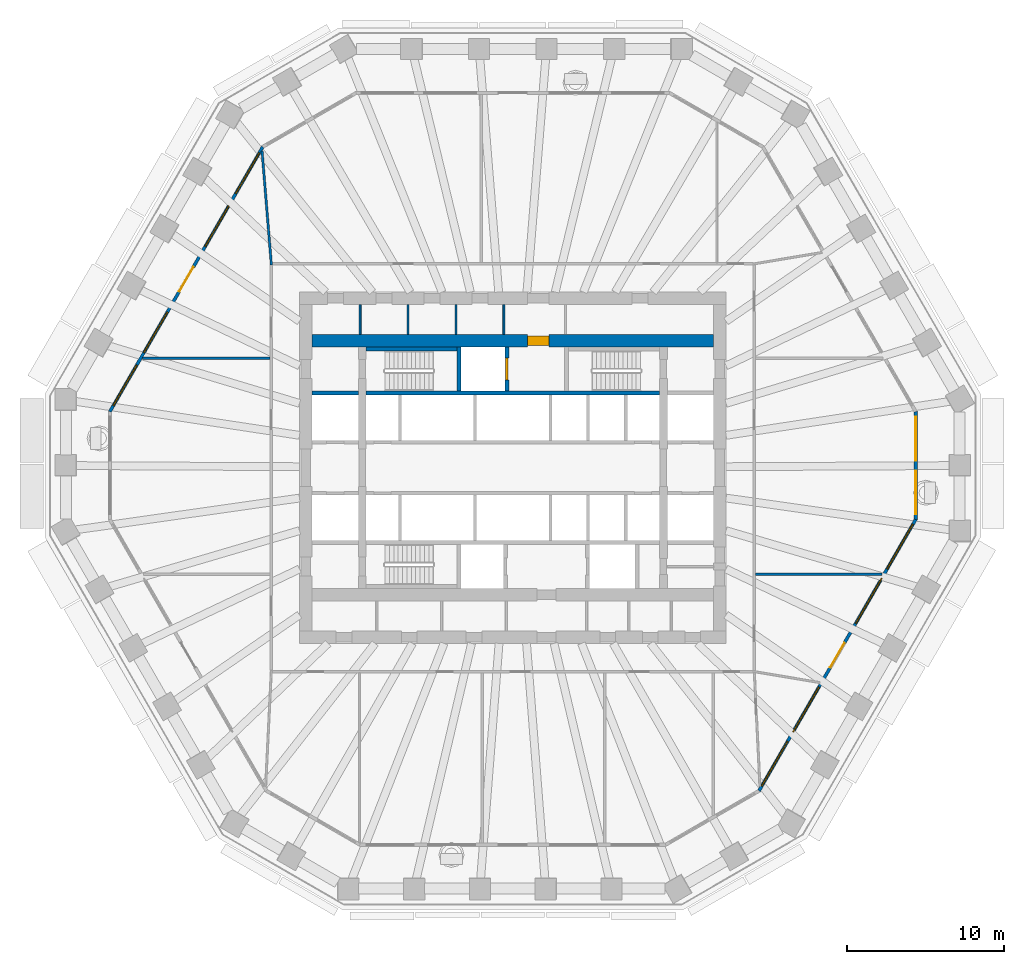
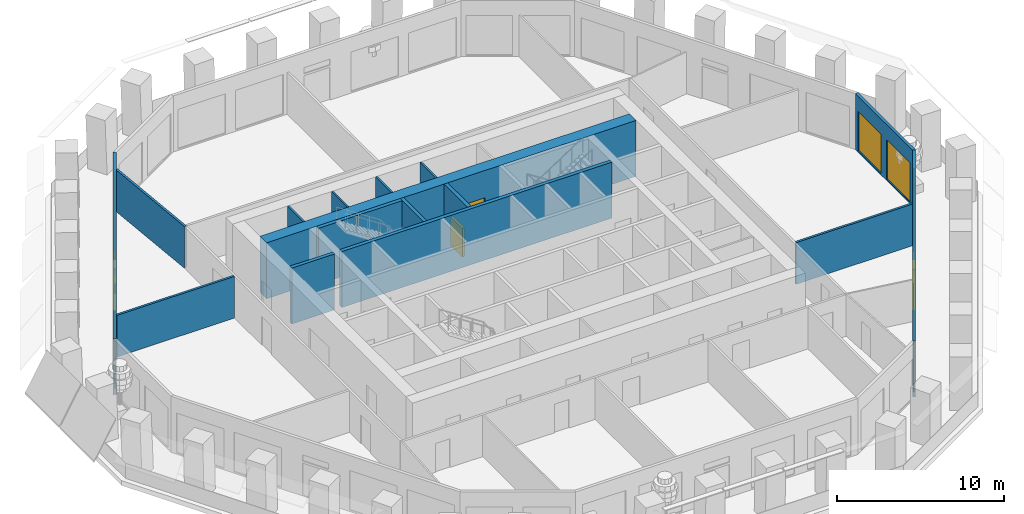
# One storey, part 6 of 12: 16 walls, 12 windows, 4 doors, 16 openings.
"""IFC4 building model written with IfcOpenShell, lengths in metres."""

from ifc_helpers import new_model, si_unit, direction, frame, frame_2d, origin, place, context, subcontext, project, spatial, polyline, rectangle, outline, extrude, material, layer, layer_set, type_object, element, fill, save


model = new_model("IFC4")

# Units and contexts
model_context = context("Model", 3, precision=1e-05, world=origin(), true_north=direction((0.0, 1.0)))
body_context = subcontext(model_context, "Body", "Model", "MODEL_VIEW")
ifc_project = project(units=[si_unit("LENGTHUNIT", "METRE"), si_unit("AREAUNIT", "SQUARE_METRE"), si_unit("VOLUMEUNIT", "CUBIC_METRE"), si_unit("PLANEANGLEUNIT", "RADIAN"), si_unit("MASSUNIT", "GRAM", prefix="KILO")], contexts=[model_context])

# Site, building, storey
site_placement = place(None, origin())
site = spatial("IfcSite", under=ifc_project, at=site_placement, CompositionType="ELEMENT")
building_placement = place(site_placement, origin())
building = spatial("IfcBuilding", under=site, at=building_placement, Name="Frailejon Research Tower", CompositionType="ELEMENT")
storey_placement = place(building_placement, frame((0.0, 0.0, 85.199951171875)))
storey = spatial("IfcBuildingStorey", under=building, at=storey_placement, Name="L18", CompositionType="ELEMENT", Elevation=85.199951171875)

# Walls
ifc_material_1 = material(Name="Plasterboard on steel studs", Category="steel")
ifc_layer_1 = layer(ifc_material_1, 0.125)
ifc_layer_set_1 = layer_set([ifc_layer_1], Name="Core partition 125")
wall_type_1 = type_object("IfcWallType", Name="Core partition 125", PredefinedType="PARTITIONING", material=ifc_layer_set_1)
for number, where, z_axis, x_axis, name in (
    (1, (-9.740478515625, 8.5, 0.0), (0.0, 0.0, 1.0), (0.0, 1.0, 0.0), "Core partition"),
    (2, (-6.68115234375, 8.5, 0.0), (0.0, 0.0, 1.0), (0.0, 1.0, 0.0), "Core partition"),
    (3, (-3.621826171875, 8.5, 0.0), (0.0, 0.0, 1.0), (0.0, 1.0, 0.0), "Core partition"),
    (4, (-0.5625, 8.5, 0.0), (0.0, 0.0, 1.0), (0.0, 1.0, 0.0), "Core partition"),
):
    element("IfcWall", number, at=place(storey_placement, frame(where, z_axis=z_axis, x_axis=x_axis)), inside=storey, type_object=wall_type_1, Name=name, PredefinedType="PARTITIONING", context=body_context, shape_type="SweptSolid", body=[
        extrude(rectangle(XDim=1.89990234375, YDim=0.125, at=frame_2d((0.949951171875, 0.0))), origin(), (0.0, 0.0, 1.0), 4.10009765625),
    ])

# Wall, opening, door
ifc_material_2 = material(Name="Concrete C70/85", Category="concrete")
ifc_layer_2 = layer(ifc_material_2, 0.800048828125)
ifc_layer_set_2 = layer_set([ifc_layer_2], Name="Core shear wall 800 C70/85")
wall_type_2 = type_object("IfcWallType", Name="Core shear wall 800 C70/85", PredefinedType="SHEAR", material=ifc_layer_set_2)
wall_1_placement = place(storey_placement, frame((-12.800048828125, 8.10009765625, 0.0), z_axis=(0.0, 0.0, 1.0), x_axis=(1.0, 0.0, 0.0)))
wall_1 = element("IfcWall", 5, at=wall_1_placement, inside=storey, type_object=wall_type_2, Name="Core shear wall", PredefinedType="SHEAR", context=body_context, shape_type="SweptSolid", body=[
    extrude(rectangle(XDim=25.60009765625, YDim=0.800048828125, at=frame_2d((12.800048828125, 0.0))), origin(), (0.0, 0.0, 1.0), 4.10009765625),
])
opening_1_placement = place(wall_1_placement, frame((13.72509765625, 0.0, 0.0)))
opening_1 = element("IfcOpeningElement", 6, at=opening_1_placement, cuts=wall_1, Name="Opening D9", PredefinedType="OPENING", context=body_context, shape_type="SweptSolid", body=[
    extrude(rectangle(XDim=1.39990234375, YDim=2.10009765625, at=frame_2d((0.699951171875, 1.050048828125))), frame((0.0, 0.409912109375, 0.0), z_axis=(0.0, -1.0, 0.0), x_axis=(1.0, 0.0, 0.0)), (0.0, 0.0, 1.0), 0.820068359375),
])
ifc_material_3 = material(Name="Steel", Category="steel")
door_type_1 = type_object("IfcDoorType", Name="Goods lobby door", OperationType="DOUBLE_DOOR_SINGLE_SWING", PredefinedType="DOOR", material=ifc_material_3)
door_1_placement = place(opening_1_placement, origin())
door_1 = element("IfcDoor", 7, at=door_1_placement, inside=storey, type_object=door_type_1, Name="Goods lobby door", OperationType="DOUBLE_DOOR_SINGLE_SWING", OverallHeight=2.10009765625, OverallWidth=1.39990234375, PredefinedType="DOOR", context=body_context, shape_type="SweptSolid", body=[
    extrude(rectangle(XDim=1.39990234375, YDim=2.10009765625, at=frame_2d((0.699951171875, 1.050048828125))), frame((0.0, 0.300048828125, 0.0), z_axis=(0.0, -1.0, 0.0), x_axis=(1.0, 0.0, 0.0)), (0.0, 0.0, 1.0), 0.60009765625),
])
fill(opening_1, door_1)

# Walls
ifc_material_4 = material(Name="Gypsum board and masonry partition", Category="masonry")
ifc_layer_3 = layer(ifc_material_4, 0.14990234375)
ifc_layer_set_3 = layer_set([ifc_layer_3], Name="Laboratory partition, blockwork 150")
wall_type_3 = type_object("IfcWallType", Name="Laboratory partition, blockwork 150", PredefinedType="PARTITIONING", material=ifc_layer_set_3)
wall_2_placement = place(storey_placement, frame((-23.6064453125, 6.989013671875, 0.0), z_axis=(0.0, 0.0, 1.0), x_axis=(1.0, 0.0, 0.0)))
element("IfcWall", 8, at=wall_2_placement, inside=storey, type_object=wall_type_3, Name="T:IW:L18:005", PredefinedType="PARTITIONING", context=body_context, shape_type="SweptSolid", body=[
    extrude(rectangle(XDim=8.13134765625, YDim=0.14990234375, at=frame_2d((4.065673828125, 0.0))), origin(), (0.0, 0.0, 1.0), 3.050048828125),
])
wall_3_placement = place(storey_placement, frame((15.47509765625, -6.79541015625, 0.0), z_axis=(0.0, 0.0, 1.0), x_axis=(1.0, 0.0, 0.0)))
element("IfcWall", 9, at=wall_3_placement, inside=storey, type_object=wall_type_3, Name="T:IW:L18:008", PredefinedType="PARTITIONING", context=body_context, shape_type="SweptSolid", body=[
    extrude(rectangle(XDim=8.08349609375, YDim=0.14990234375, at=frame_2d((4.041748046875, 0.0))), origin(), (0.0, 0.0, 1.0), 3.050048828125),
])
wall_4_placement = place(storey_placement, frame((-15.9873046875, 20.185546875, 0.0), z_axis=(0.0, 0.0, 1.0), x_axis=(0.081475478093, -0.996675346575, 0.0)))
element("IfcWall", 10, at=wall_4_placement, inside=storey, type_object=wall_type_3, Name="T:IW:L18:010", PredefinedType="PARTITIONING", context=body_context, shape_type="SweptSolid", body=[
    extrude(rectangle(XDim=7.284423828125, YDim=0.14990234375, at=frame_2d((3.64208984375, 0.0))), origin(), (0.0, 0.0, 1.0), 3.050048828125),
])
ifc_material_5 = material(Name="Concrete C70/85", Category="concrete")
ifc_layer_4 = layer(ifc_material_5, 0.25)
ifc_layer_set_4 = layer_set([ifc_layer_4], Name="Shaft wall 250 C70/85")
wall_type_4 = type_object("IfcWallType", Name="Shaft wall 250 C70/85", PredefinedType="SOLIDWALL", material=ifc_layer_set_4)
wall_5_placement = place(storey_placement, frame((-12.800048828125, 4.77490234375, 0.0), z_axis=(0.0, 0.0, 1.0), x_axis=(1.0, 0.0, 0.0)))
element("IfcWall", 11, at=wall_5_placement, inside=storey, type_object=wall_type_4, Name="Shaft wall", PredefinedType="SOLIDWALL", context=body_context, shape_type="SweptSolid", body=[
    extrude(rectangle(XDim=2.949951171875, YDim=0.25, at=frame_2d((1.47509765625, 0.0))), origin(), (0.0, 0.0, 1.0), 4.10009765625),
])
wall_6_placement = place(storey_placement, frame((-9.35009765625, 4.77490234375, 0.0), z_axis=(0.0, 0.0, 1.0), x_axis=(1.0, 0.0, 0.0)))
element("IfcWall", 12, at=wall_6_placement, inside=storey, type_object=wall_type_4, Name="Shaft wall", PredefinedType="SOLIDWALL", context=body_context, shape_type="SweptSolid", body=[
    extrude(rectangle(XDim=18.7001953125, YDim=0.25, at=frame_2d((9.35009765625, 0.0))), origin(), (0.0, 0.0, 1.0), 4.10009765625),
])
wall_7_placement = place(storey_placement, frame((-9.35009765625, 7.574951171875, 0.0), z_axis=(0.0, 0.0, 1.0), x_axis=(1.0, 0.0, 0.0)))
element("IfcWall", 13, at=wall_7_placement, inside=storey, type_object=wall_type_4, Name="Shaft wall", PredefinedType="SOLIDWALL", context=body_context, shape_type="SweptSolid", body=[
    extrude(rectangle(XDim=5.800048828125, YDim=0.25, at=frame_2d((2.89990234375, 0.0))), origin(), (0.0, 0.0, 1.0), 4.10009765625),
])
wall_8_placement = place(storey_placement, frame((-3.425048828125, 4.89990234375, 0.0), z_axis=(0.0, 0.0, 1.0), x_axis=(0.0, 1.0, 0.0)))
element("IfcWall", 14, at=wall_8_placement, inside=storey, type_object=wall_type_4, Name="Shaft wall", PredefinedType="SOLIDWALL", context=body_context, shape_type="SweptSolid", body=[
    extrude(rectangle(XDim=2.800048828125, YDim=0.25, at=frame_2d((1.39990234375, 0.0))), origin(), (0.0, 0.0, 1.0), 4.10009765625),
])

# Wall, opening, door
wall_9_placement = place(storey_placement, frame((-0.375, 4.89990234375, 0.0), z_axis=(0.0, 0.0, 1.0), x_axis=(0.0, 1.0, 0.0)))
wall_9 = element("IfcWall", 15, at=wall_9_placement, inside=storey, type_object=wall_type_4, Name="Shaft wall", PredefinedType="SOLIDWALL", context=body_context, shape_type="SweptSolid", body=[
    extrude(rectangle(XDim=2.800048828125, YDim=0.25, at=frame_2d((1.39990234375, 0.0))), origin(), (0.0, 0.0, 1.0), 4.10009765625),
])
opening_2_placement = place(wall_9_placement, frame((0.699951171875, 0.0, 0.0)))
opening_2 = element("IfcOpeningElement", 16, at=opening_2_placement, cuts=wall_9, Name="Opening LD2", PredefinedType="OPENING", context=body_context, shape_type="SweptSolid", body=[
    extrude(rectangle(XDim=1.39990234375, YDim=2.10009765625, at=frame_2d((0.699951171875, 1.050048828125))), frame((0.0, 0.135009765625, 0.0), z_axis=(0.0, -1.0, 0.0), x_axis=(1.0, 0.0, 0.0)), (0.0, 0.0, 1.0), 0.27001953125),
])
ifc_material_6 = material(Name="Stainless steel", Category="steel")
door_type_2 = type_object("IfcDoorType", Name="Goods landing door", OperationType="DOUBLE_DOOR_SLIDING", PredefinedType="DOOR", material=ifc_material_6)
door_2_placement = place(opening_2_placement, origin())
door_2 = element("IfcDoor", 17, at=door_2_placement, inside=storey, type_object=door_type_2, Name="Lift landing door", OperationType="DOUBLE_DOOR_SLIDING", OverallHeight=2.10009765625, OverallWidth=1.39990234375, PredefinedType="DOOR", context=body_context, shape_type="SweptSolid", body=[
    extrude(rectangle(XDim=1.39990234375, YDim=2.10009765625, at=frame_2d((0.699951171875, 1.050048828125))), frame((0.0, 0.074951171875, 0.0), z_axis=(0.0, -1.0, 0.0), x_axis=(1.0, 0.0, 0.0)), (0.0, 0.0, 1.0), 0.14990234375),
])
fill(opening_2, door_2)

# Wall, openings, windows
ifc_material_7 = material(Name="Concrete C40/50 precast window wall panel", Category="concrete")
ifc_layer_5 = layer(ifc_material_7, 0.199951171875)
ifc_layer_set_5 = layer_set([ifc_layer_5], Name="Window wall 200")
wall_type_5 = type_object("IfcWallType", Name="Window wall 200", PredefinedType="SOLIDWALL", material=ifc_layer_set_5)
wall_10_placement = place(storey_placement, frame((25.692626953125, -3.299072265625, 0.0), z_axis=(0.0, 0.0, 1.0), x_axis=(0.0, 1.0, 0.0)))
wall_10 = element("IfcWall", 18, at=wall_10_placement, inside=storey, type_object=wall_type_5, Name="Exterior wall L18", PredefinedType="SOLIDWALL", context=body_context, shape_type="SweptSolid", body=[
    extrude(outline(polyline([(-0.02685546875, -0.10009765625), (1.1279296875, -0.10009765625), (2.28271484375, -0.10009765625), (3.4375, -0.10009765625), (4.592041015625, -0.10009765625), (5.746826171875, -0.10009765625), (6.901611328125, -0.10009765625), (6.847900390625, 0.10009765625), (5.7109375, 0.10009765625), (4.57421875, 0.10009765625), (3.4375, 0.10009765625), (2.300537109375, 0.10009765625), (1.16357421875, 0.10009765625), (0.02685546875, 0.10009765625), (-0.02685546875, -0.10009765625)])), origin(), (0.0, 0.0, 1.0), 4.10009765625),
])
opening_3_placement = place(wall_10_placement, frame((0.318603515625, 0.0, 0.10009765625)))
opening_3 = element("IfcOpeningElement", 19, at=opening_3_placement, cuts=wall_10, Name="Opening W3", PredefinedType="OPENING", context=body_context, shape_type="SweptSolid", body=[
    extrude(rectangle(XDim=2.800048828125, YDim=2.89990234375, at=frame_2d((1.39990234375, 1.449951171875))), frame((0.0, 0.10986328125, 0.0), z_axis=(0.0, -1.0, 0.0), x_axis=(1.0, 0.0, 0.0)), (0.0, 0.0, 1.0), 0.219970703125),
])
opening_4_placement = place(wall_10_placement, frame((3.756103515625, 0.0, 0.10009765625)))
opening_4 = element("IfcOpeningElement", 20, at=opening_4_placement, cuts=wall_10, Name="Opening W3", PredefinedType="OPENING", context=body_context, shape_type="SweptSolid", body=[
    extrude(rectangle(XDim=2.800048828125, YDim=2.89990234375, at=frame_2d((1.39990234375, 1.449951171875))), frame((0.0, 0.10986328125, 0.0), z_axis=(0.0, -1.0, 0.0), x_axis=(1.0, 0.0, 0.0)), (0.0, 0.0, 1.0), 0.219970703125),
])
ifc_material_8 = material(Name="Aluminium framed double glazing", Category="aluminium")
window_type_1 = type_object("IfcWindowType", Name="Window 2800x2900", PartitioningType="SINGLE_PANEL", PredefinedType="WINDOW", material=ifc_material_8)
window_1_placement = place(opening_3_placement, origin())
window_1 = element("IfcWindow", 21, at=window_1_placement, inside=storey, type_object=window_type_1, Name="Window L18", OverallHeight=2.89990234375, OverallWidth=2.800048828125, PartitioningType="SINGLE_PANEL", PredefinedType="WINDOW", context=body_context, shape_type="SweptSolid", body=[
    extrude(rectangle(XDim=2.800048828125, YDim=2.89990234375, at=frame_2d((1.39990234375, 1.449951171875))), frame((0.0, 0.030029296875, 0.0), z_axis=(0.0, -1.0, 0.0), x_axis=(1.0, 0.0, 0.0)), (0.0, 0.0, 1.0), 0.06005859375),
])
fill(opening_3, window_1)
window_2_placement = place(opening_4_placement, origin())
window_2 = element("IfcWindow", 22, at=window_2_placement, inside=storey, type_object=window_type_1, Name="Window L18", OverallHeight=2.89990234375, OverallWidth=2.800048828125, PartitioningType="SINGLE_PANEL", PredefinedType="WINDOW", context=body_context, shape_type="SweptSolid", body=[
    extrude(rectangle(XDim=2.800048828125, YDim=2.89990234375, at=frame_2d((1.39990234375, 1.449951171875))), frame((0.0, 0.030029296875, 0.0), z_axis=(0.0, -1.0, 0.0), x_axis=(1.0, 0.0, 0.0)), (0.0, 0.0, 1.0), 0.06005859375),
])
fill(opening_4, window_2)

# Wall, openings, door, windows
wall_11_placement = place(storey_placement, frame((-15.94287109375, 20.462646484375, 0.0), z_axis=(0.0, 0.0, 1.0), x_axis=(-0.500002434251, -0.866023998365, 0.0)))
wall_11 = element("IfcWall", 23, at=wall_11_placement, inside=storey, type_object=wall_type_5, Name="Exterior wall L18", PredefinedType="SOLIDWALL", context=body_context, shape_type="SweptSolid", body=[
    extrude(outline(polyline([(-0.02685546875, -0.10009765625), (1.002197265625, -0.10009765625), (2.031494140625, -0.10009765625), (3.060546875, -0.10009765625), (4.089599609375, -0.10009765625), (5.11865234375, -0.10009765625), (6.14794921875, -0.10009765625), (7.177001953125, -0.10009765625), (8.2060546875, -0.10009765625), (9.235107421875, -0.10009765625), (10.264404296875, -0.10009765625), (11.29345703125, -0.10009765625), (12.322509765625, -0.10009765625), (13.3515625, -0.10009765625), (14.380859375, -0.10009765625), (15.409912109375, -0.10009765625), (16.43896484375, -0.10009765625), (17.468017578125, -0.10009765625), (18.497314453125, -0.10009765625), (19.5263671875, -0.10009765625), (19.47265625, 0.10009765625), (18.44921875, 0.10009765625), (17.42578125, 0.10009765625), (16.40234375, 0.10009765625), (15.37890625, 0.10009765625), (14.355224609375, 0.10009765625), (13.331787109375, 0.10009765625), (12.308349609375, 0.10009765625), (11.284912109375, 0.10009765625), (10.261474609375, 0.10009765625), (9.238037109375, 0.10009765625), (8.214599609375, 0.10009765625), (7.191162109375, 0.10009765625), (6.167724609375, 0.10009765625), (5.144287109375, 0.10009765625), (4.12060546875, 0.10009765625), (3.09716796875, 0.10009765625), (2.07373046875, 0.10009765625), (1.05029296875, 0.10009765625), (0.02685546875, 0.10009765625), (-0.02685546875, -0.10009765625)])), origin(), (0.0, 0.0, 1.0), 4.10009765625),
])
opening_5_placement = place(wall_11_placement, frame((0.449951171875, 0.0, 0.10009765625)))
opening_5 = element("IfcOpeningElement", 24, at=opening_5_placement, cuts=wall_11, Name="Opening W4", PredefinedType="OPENING", context=body_context, shape_type="SweptSolid", body=[
    extrude(rectangle(XDim=3.0, YDim=2.89990234375, at=frame_2d((1.5, 1.449951171875))), frame((0.0, 0.10986328125, 0.0), z_axis=(0.0, -1.0, 0.0), x_axis=(1.0, 0.0, 0.0)), (0.0, 0.0, 1.0), 0.219970703125),
])
opening_6_placement = place(wall_11_placement, frame((4.349853515625, 0.0, 0.10009765625)))
opening_6 = element("IfcOpeningElement", 25, at=opening_6_placement, cuts=wall_11, Name="Opening W4", PredefinedType="OPENING", context=body_context, shape_type="SweptSolid", body=[
    extrude(rectangle(XDim=3.0, YDim=2.89990234375, at=frame_2d((1.5, 1.449951171875))), frame((0.0, 0.10986328125, 0.0), z_axis=(0.0, -1.0, 0.0), x_axis=(1.0, 0.0, 0.0)), (0.0, 0.0, 1.0), 0.219970703125),
])
opening_7_placement = place(wall_11_placement, frame((8.849853515625, 0.0, 0.0)))
opening_7 = element("IfcOpeningElement", 26, at=opening_7_placement, cuts=wall_11, Name="Opening LG18-3", PredefinedType="OPENING", context=body_context, shape_type="SweptSolid", body=[
    extrude(rectangle(XDim=1.800048828125, YDim=2.39990234375, at=frame_2d((0.89990234375, 1.199951171875))), frame((0.0, 0.10986328125, 0.0), z_axis=(0.0, -1.0, 0.0), x_axis=(1.0, 0.0, 0.0)), (0.0, 0.0, 1.0), 0.219970703125),
])
opening_8_placement = place(wall_11_placement, frame((8.849853515625, 0.0, 2.550048828125)))
opening_8 = element("IfcOpeningElement", 27, at=opening_8_placement, cuts=wall_11, Name="Opening W1", PredefinedType="OPENING", context=body_context, shape_type="SweptSolid", body=[
    extrude(rectangle(XDim=1.800048828125, YDim=0.449951171875, at=frame_2d((0.89990234375, 0.22509765625))), frame((0.0, 0.10986328125, 0.0), z_axis=(0.0, -1.0, 0.0), x_axis=(1.0, 0.0, 0.0)), (0.0, 0.0, 1.0), 0.219970703125),
])
opening_9_placement = place(wall_11_placement, frame((12.149658203125, 0.0, 0.10009765625)))
opening_9 = element("IfcOpeningElement", 28, at=opening_9_placement, cuts=wall_11, Name="Opening W4", PredefinedType="OPENING", context=body_context, shape_type="SweptSolid", body=[
    extrude(rectangle(XDim=3.0, YDim=2.89990234375, at=frame_2d((1.5, 1.449951171875))), frame((0.0, 0.10986328125, 0.0), z_axis=(0.0, -1.0, 0.0), x_axis=(1.0, 0.0, 0.0)), (0.0, 0.0, 1.0), 0.219970703125),
])
opening_10_placement = place(wall_11_placement, frame((16.049560546875, 0.0, 0.10009765625)))
opening_10 = element("IfcOpeningElement", 29, at=opening_10_placement, cuts=wall_11, Name="Opening W4", PredefinedType="OPENING", context=body_context, shape_type="SweptSolid", body=[
    extrude(rectangle(XDim=3.0, YDim=2.89990234375, at=frame_2d((1.5, 1.449951171875))), frame((0.0, 0.10986328125, 0.0), z_axis=(0.0, -1.0, 0.0), x_axis=(1.0, 0.0, 0.0)), (0.0, 0.0, 1.0), 0.219970703125),
])
ifc_material_9 = material(Name="Aluminium framed glazed door leaf", Category="aluminium")
door_type_3 = type_object("IfcDoorType", Name="Loggia door 1800x2400", OperationType="DOUBLE_DOOR_SINGLE_SWING", PredefinedType="DOOR", material=ifc_material_9)
door_3_placement = place(opening_7_placement, origin())
door_3 = element("IfcDoor", 30, at=door_3_placement, inside=storey, type_object=door_type_3, Name="Door LG18-3", OperationType="DOUBLE_DOOR_SINGLE_SWING", OverallHeight=2.39990234375, OverallWidth=1.800048828125, PredefinedType="DOOR", context=body_context, shape_type="SweptSolid", body=[
    extrude(rectangle(XDim=1.800048828125, YDim=2.39990234375, at=frame_2d((0.89990234375, 1.199951171875))), frame((0.0, 0.02490234375, 0.0), z_axis=(0.0, -1.0, 0.0), x_axis=(1.0, 0.0, 0.0)), (0.0, 0.0, 1.0), 0.050048828125),
])
fill(opening_7, door_3)
ifc_material_10 = material(Name="Aluminium framed double glazing", Category="aluminium")
window_type_2 = type_object("IfcWindowType", Name="Window 1800x450", PartitioningType="SINGLE_PANEL", PredefinedType="WINDOW", material=ifc_material_10)
window_3_placement = place(opening_8_placement, origin())
window_3 = element("IfcWindow", 31, at=window_3_placement, inside=storey, type_object=window_type_2, Name="Window L18", OverallHeight=0.449951171875, OverallWidth=1.800048828125, PartitioningType="SINGLE_PANEL", PredefinedType="WINDOW", context=body_context, shape_type="SweptSolid", body=[
    extrude(rectangle(XDim=1.800048828125, YDim=0.449951171875, at=frame_2d((0.89990234375, 0.22509765625))), frame((0.0, 0.030029296875, 0.0), z_axis=(0.0, -1.0, 0.0), x_axis=(1.0, 0.0, 0.0)), (0.0, 0.0, 1.0), 0.06005859375),
])
fill(opening_8, window_3)
ifc_material_11 = material(Name="Aluminium framed double glazing", Category="aluminium")
window_type_3 = type_object("IfcWindowType", Name="Window 3000x2900", PartitioningType="SINGLE_PANEL", PredefinedType="WINDOW", material=ifc_material_11)
window_4_placement = place(opening_5_placement, origin())
window_4 = element("IfcWindow", 32, at=window_4_placement, inside=storey, type_object=window_type_3, Name="Window L18", OverallHeight=2.89990234375, OverallWidth=3.0, PartitioningType="SINGLE_PANEL", PredefinedType="WINDOW", context=body_context, shape_type="SweptSolid", body=[
    extrude(rectangle(XDim=3.0, YDim=2.89990234375, at=frame_2d((1.5, 1.449951171875))), frame((0.0, 0.030029296875, 0.0), z_axis=(0.0, -1.0, 0.0), x_axis=(1.0, 0.0, 0.0)), (0.0, 0.0, 1.0), 0.06005859375),
])
fill(opening_5, window_4)
window_5_placement = place(opening_6_placement, origin())
window_5 = element("IfcWindow", 33, at=window_5_placement, inside=storey, type_object=window_type_3, Name="Window L18", OverallHeight=2.89990234375, OverallWidth=3.0, PartitioningType="SINGLE_PANEL", PredefinedType="WINDOW", context=body_context, shape_type="SweptSolid", body=[
    extrude(rectangle(XDim=3.0, YDim=2.89990234375, at=frame_2d((1.5, 1.449951171875))), frame((0.0, 0.030029296875, 0.0), z_axis=(0.0, -1.0, 0.0), x_axis=(1.0, 0.0, 0.0)), (0.0, 0.0, 1.0), 0.06005859375),
])
fill(opening_6, window_5)
window_6_placement = place(opening_9_placement, origin())
window_6 = element("IfcWindow", 34, at=window_6_placement, inside=storey, type_object=window_type_3, Name="Window L18", OverallHeight=2.89990234375, OverallWidth=3.0, PartitioningType="SINGLE_PANEL", PredefinedType="WINDOW", context=body_context, shape_type="SweptSolid", body=[
    extrude(rectangle(XDim=3.0, YDim=2.89990234375, at=frame_2d((1.5, 1.449951171875))), frame((0.0, 0.030029296875, 0.0), z_axis=(0.0, -1.0, 0.0), x_axis=(1.0, 0.0, 0.0)), (0.0, 0.0, 1.0), 0.06005859375),
])
fill(opening_9, window_6)
window_7_placement = place(opening_10_placement, origin())
window_7 = element("IfcWindow", 35, at=window_7_placement, inside=storey, type_object=window_type_3, Name="Window L18", OverallHeight=2.89990234375, OverallWidth=3.0, PartitioningType="SINGLE_PANEL", PredefinedType="WINDOW", context=body_context, shape_type="SweptSolid", body=[
    extrude(rectangle(XDim=3.0, YDim=2.89990234375, at=frame_2d((1.5, 1.449951171875))), frame((0.0, 0.030029296875, 0.0), z_axis=(0.0, -1.0, 0.0), x_axis=(1.0, 0.0, 0.0)), (0.0, 0.0, 1.0), 0.06005859375),
])
fill(opening_10, window_7)

wall_12_placement = place(storey_placement, frame((15.703369140625, -20.60107421875, 0.0), z_axis=(0.0, 0.0, 1.0), x_axis=(0.499997834957, 0.866026653769, 0.0)))
wall_12 = element("IfcWall", 36, at=wall_12_placement, inside=storey, type_object=wall_type_5, Name="Exterior wall L18", PredefinedType="SOLIDWALL", context=body_context, shape_type="SweptSolid", body=[
    extrude(outline(polyline([(-0.02685546875, -0.10009765625), (1.027587890625, -0.10009765625), (2.081787109375, -0.10009765625), (3.13623046875, -0.10009765625), (4.1904296875, -0.10009765625), (5.244873046875, -0.10009765625), (6.299072265625, -0.10009765625), (7.353515625, -0.10009765625), (8.40771484375, -0.10009765625), (9.462158203125, -0.10009765625), (10.516357421875, -0.10009765625), (11.57080078125, -0.10009765625), (12.625, -0.10009765625), (13.679443359375, -0.10009765625), (14.733642578125, -0.10009765625), (15.7880859375, -0.10009765625), (16.84228515625, -0.10009765625), (17.896728515625, -0.10009765625), (18.950927734375, -0.10009765625), (20.00537109375, -0.10009765625), (19.95166015625, 0.10009765625), (18.903076171875, 0.10009765625), (17.854248046875, 0.10009765625), (16.8056640625, 0.10009765625), (15.757080078125, 0.10009765625), (14.708251953125, 0.10009765625), (13.65966796875, 0.10009765625), (12.61083984375, 0.10009765625), (11.562255859375, 0.10009765625), (10.513671875, 0.10009765625), (9.46484375, 0.10009765625), (8.416259765625, 0.10009765625), (7.36767578125, 0.10009765625), (6.31884765625, 0.10009765625), (5.270263671875, 0.10009765625), (4.221435546875, 0.10009765625), (3.1728515625, 0.10009765625), (2.124267578125, 0.10009765625), (1.075439453125, 0.10009765625), (0.02685546875, 0.10009765625), (-0.02685546875, -0.10009765625)])), origin(), (0.0, 0.0, 1.0), 4.10009765625),
])
opening_11_placement = place(wall_12_placement, frame((0.347900390625, 0.0, 0.10009765625)))
opening_11 = element("IfcOpeningElement", 37, at=opening_11_placement, cuts=wall_12, Name="Opening W5", PredefinedType="OPENING", context=body_context, shape_type="SweptSolid", body=[
    extrude(rectangle(XDim=3.300048828125, YDim=2.89990234375, at=frame_2d((1.64990234375, 1.449951171875))), frame((0.0, 0.10986328125, 0.0), z_axis=(0.0, -1.0, 0.0), x_axis=(1.0, 0.0, 0.0)), (0.0, 0.0, 1.0), 0.219970703125),
])
opening_12_placement = place(wall_12_placement, frame((4.343505859375, 0.0, 0.10009765625)))
opening_12 = element("IfcOpeningElement", 38, at=opening_12_placement, cuts=wall_12, Name="Opening W5", PredefinedType="OPENING", context=body_context, shape_type="SweptSolid", body=[
    extrude(rectangle(XDim=3.300048828125, YDim=2.89990234375, at=frame_2d((1.64990234375, 1.449951171875))), frame((0.0, 0.10986328125, 0.0), z_axis=(0.0, -1.0, 0.0), x_axis=(1.0, 0.0, 0.0)), (0.0, 0.0, 1.0), 0.219970703125),
])
opening_13_placement = place(wall_12_placement, frame((9.08935546875, 0.0, 0.0)))
opening_13 = element("IfcOpeningElement", 39, at=opening_13_placement, cuts=wall_12, Name="Opening LG18-6", PredefinedType="OPENING", context=body_context, shape_type="SweptSolid", body=[
    extrude(rectangle(XDim=1.800048828125, YDim=2.39990234375, at=frame_2d((0.89990234375, 1.199951171875))), frame((0.0, 0.10986328125, 0.0), z_axis=(0.0, -1.0, 0.0), x_axis=(1.0, 0.0, 0.0)), (0.0, 0.0, 1.0), 0.219970703125),
])
opening_14_placement = place(wall_12_placement, frame((9.08935546875, 0.0, 2.550048828125)))
opening_14 = element("IfcOpeningElement", 40, at=opening_14_placement, cuts=wall_12, Name="Opening W1", PredefinedType="OPENING", context=body_context, shape_type="SweptSolid", body=[
    extrude(rectangle(XDim=1.800048828125, YDim=0.449951171875, at=frame_2d((0.89990234375, 0.22509765625))), frame((0.0, 0.10986328125, 0.0), z_axis=(0.0, -1.0, 0.0), x_axis=(1.0, 0.0, 0.0)), (0.0, 0.0, 1.0), 0.219970703125),
])
opening_15_placement = place(wall_12_placement, frame((12.3349609375, 0.0, 0.10009765625)))
opening_15 = element("IfcOpeningElement", 41, at=opening_15_placement, cuts=wall_12, Name="Opening W5", PredefinedType="OPENING", context=body_context, shape_type="SweptSolid", body=[
    extrude(rectangle(XDim=3.300048828125, YDim=2.89990234375, at=frame_2d((1.64990234375, 1.449951171875))), frame((0.0, 0.10986328125, 0.0), z_axis=(0.0, -1.0, 0.0), x_axis=(1.0, 0.0, 0.0)), (0.0, 0.0, 1.0), 0.219970703125),
])
opening_16_placement = place(wall_12_placement, frame((16.330810546875, 0.0, 0.10009765625)))
opening_16 = element("IfcOpeningElement", 42, at=opening_16_placement, cuts=wall_12, Name="Opening W5", PredefinedType="OPENING", context=body_context, shape_type="SweptSolid", body=[
    extrude(rectangle(XDim=3.300048828125, YDim=2.89990234375, at=frame_2d((1.64990234375, 1.449951171875))), frame((0.0, 0.10986328125, 0.0), z_axis=(0.0, -1.0, 0.0), x_axis=(1.0, 0.0, 0.0)), (0.0, 0.0, 1.0), 0.219970703125),
])
door_4_placement = place(opening_13_placement, origin())
door_4 = element("IfcDoor", 43, at=door_4_placement, inside=storey, type_object=door_type_3, Name="Door LG18-6", OperationType="DOUBLE_DOOR_SINGLE_SWING", OverallHeight=2.39990234375, OverallWidth=1.800048828125, PredefinedType="DOOR", context=body_context, shape_type="SweptSolid", body=[
    extrude(rectangle(XDim=1.800048828125, YDim=2.39990234375, at=frame_2d((0.89990234375, 1.199951171875))), frame((0.0, 0.02490234375, 0.0), z_axis=(0.0, -1.0, 0.0), x_axis=(1.0, 0.0, 0.0)), (0.0, 0.0, 1.0), 0.050048828125),
])
fill(opening_13, door_4)
window_8_placement = place(opening_14_placement, origin())
window_8 = element("IfcWindow", 44, at=window_8_placement, inside=storey, type_object=window_type_2, Name="Window L18", OverallHeight=0.449951171875, OverallWidth=1.800048828125, PartitioningType="SINGLE_PANEL", PredefinedType="WINDOW", context=body_context, shape_type="SweptSolid", body=[
    extrude(rectangle(XDim=1.800048828125, YDim=0.449951171875, at=frame_2d((0.89990234375, 0.22509765625))), frame((0.0, 0.030029296875, 0.0), z_axis=(0.0, -1.0, 0.0), x_axis=(1.0, 0.0, 0.0)), (0.0, 0.0, 1.0), 0.06005859375),
])
fill(opening_14, window_8)
ifc_material_12 = material(Name="Aluminium framed double glazing", Category="aluminium")
window_type_4 = type_object("IfcWindowType", Name="Window 3300x2900", PartitioningType="SINGLE_PANEL", PredefinedType="WINDOW", material=ifc_material_12)
window_9_placement = place(opening_11_placement, origin())
window_9 = element("IfcWindow", 45, at=window_9_placement, inside=storey, type_object=window_type_4, Name="Window L18", OverallHeight=2.89990234375, OverallWidth=3.300048828125, PartitioningType="SINGLE_PANEL", PredefinedType="WINDOW", context=body_context, shape_type="SweptSolid", body=[
    extrude(rectangle(XDim=3.300048828125, YDim=2.89990234375, at=frame_2d((1.64990234375, 1.449951171875))), frame((0.0, 0.030029296875, 0.0), z_axis=(0.0, -1.0, 0.0), x_axis=(1.0, 0.0, 0.0)), (0.0, 0.0, 1.0), 0.06005859375),
])
fill(opening_11, window_9)
window_10_placement = place(opening_12_placement, origin())
window_10 = element("IfcWindow", 46, at=window_10_placement, inside=storey, type_object=window_type_4, Name="Window L18", OverallHeight=2.89990234375, OverallWidth=3.300048828125, PartitioningType="SINGLE_PANEL", PredefinedType="WINDOW", context=body_context, shape_type="SweptSolid", body=[
    extrude(rectangle(XDim=3.300048828125, YDim=2.89990234375, at=frame_2d((1.64990234375, 1.449951171875))), frame((0.0, 0.030029296875, 0.0), z_axis=(0.0, -1.0, 0.0), x_axis=(1.0, 0.0, 0.0)), (0.0, 0.0, 1.0), 0.06005859375),
])
fill(opening_12, window_10)
window_11_placement = place(opening_15_placement, origin())
window_11 = element("IfcWindow", 47, at=window_11_placement, inside=storey, type_object=window_type_4, Name="Window L18", OverallHeight=2.89990234375, OverallWidth=3.300048828125, PartitioningType="SINGLE_PANEL", PredefinedType="WINDOW", context=body_context, shape_type="SweptSolid", body=[
    extrude(rectangle(XDim=3.300048828125, YDim=2.89990234375, at=frame_2d((1.64990234375, 1.449951171875))), frame((0.0, 0.030029296875, 0.0), z_axis=(0.0, -1.0, 0.0), x_axis=(1.0, 0.0, 0.0)), (0.0, 0.0, 1.0), 0.06005859375),
])
fill(opening_15, window_11)
window_12_placement = place(opening_16_placement, origin())
window_12 = element("IfcWindow", 48, at=window_12_placement, inside=storey, type_object=window_type_4, Name="Window L18", OverallHeight=2.89990234375, OverallWidth=3.300048828125, PartitioningType="SINGLE_PANEL", PredefinedType="WINDOW", context=body_context, shape_type="SweptSolid", body=[
    extrude(rectangle(XDim=3.300048828125, YDim=2.89990234375, at=frame_2d((1.64990234375, 1.449951171875))), frame((0.0, 0.030029296875, 0.0), z_axis=(0.0, -1.0, 0.0), x_axis=(1.0, 0.0, 0.0)), (0.0, 0.0, 1.0), 0.06005859375),
])
fill(opening_16, window_12)

save(model, "model.ifc")
